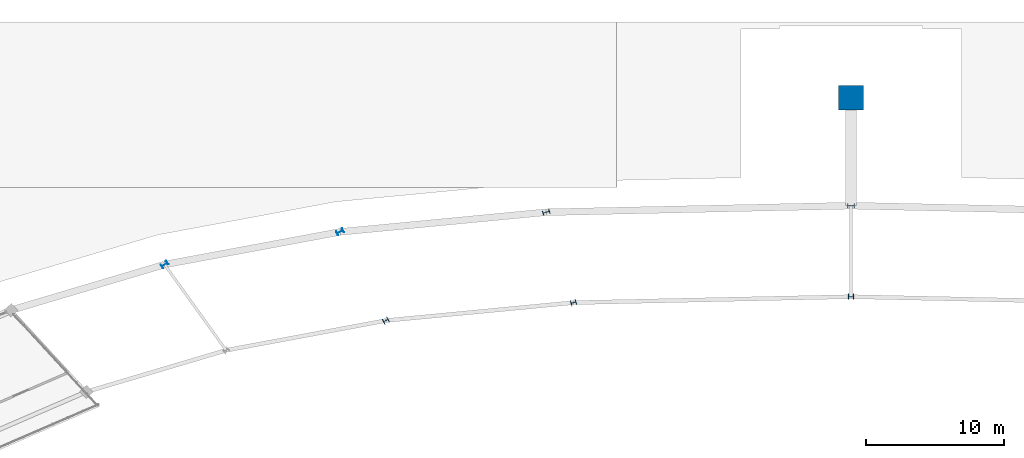
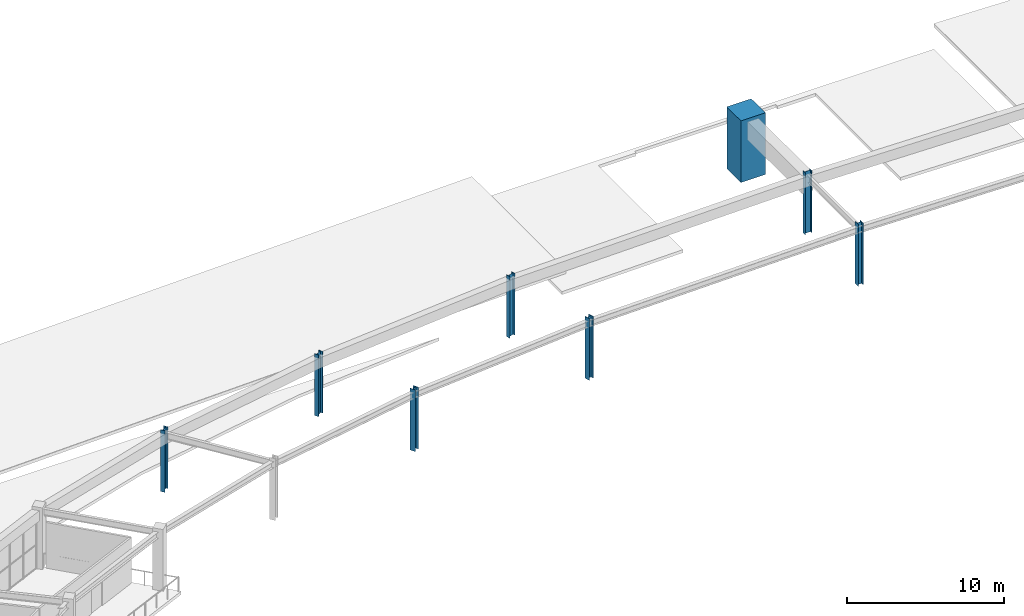
# One storey, part 9 of 45: 8 columns.
"""IFC4 building model written with IfcOpenShell, lengths in metres."""

from ifc_helpers import new_model, si_unit, direction, frame, origin, origin_2d, place, context, subcontext, project, spatial, rectangle, i_section, extrude, material, material_profile, profile_set, type_object, element, save


model = new_model("IFC4")

# Units and contexts
model_context = context("Model", 3, precision=1e-05, world=origin(), true_north=direction((0.0, 1.0)))
body_context = subcontext(model_context, "Body", "Model", "MODEL_VIEW")
ifc_project = project(units=[si_unit("LENGTHUNIT", "METRE"), si_unit("AREAUNIT", "SQUARE_METRE"), si_unit("VOLUMEUNIT", "CUBIC_METRE"), si_unit("PLANEANGLEUNIT", "RADIAN"), si_unit("MASSUNIT", "GRAM", prefix="KILO")], contexts=[model_context])

# Site, building, storey
site_placement = place(None, origin())
site = spatial("IfcSite", under=ifc_project, at=site_placement, CompositionType="ELEMENT")
building_placement = place(site_placement, origin())
building = spatial("IfcBuilding", under=site, at=building_placement, Name="Mphavela Belvedere Stadium", CompositionType="ELEMENT")
storey_placement = place(building_placement, frame((0.0, 0.0, 24.0)))
storey = spatial("IfcBuildingStorey", under=building, at=storey_placement, Name="L05", CompositionType="ELEMENT", Elevation=24.0)

# Columns
ifc_material_1 = material(Name="Concrete C50/60", Category="concrete")
ifc_material_profile_1 = material_profile(ifc_material_1, rectangle(XDim=1.800048828125, YDim=1.800048828125, at=origin_2d()), Name="RC 1800x1800")
ifc_profile_set_1 = profile_set([ifc_material_profile_1], Name="Concrete C50/60")
column_type_1 = type_object("IfcColumnType", Name="COL-MAST-PIER", PredefinedType="COLUMN", material=ifc_profile_set_1)
column_placement = place(storey_placement, frame((115.0, 168.5, 0.0), z_axis=(0.0, 0.0, 1.0), x_axis=(1.0, 0.0, 0.0)))
element("IfcColumn", 1, at=column_placement, inside=storey, type_object=column_type_1, Name="North mast buttress pier L05 MP-1", PredefinedType="COLUMN", context=body_context, shape_type="SweptSolid", body=[
    extrude(rectangle(XDim=1.800048828125, YDim=1.800048828125, at=origin_2d()), origin(), (0.0, 0.0, 1.0), 4.800048828125),
])
ifc_material_2 = material(Name="Steel S355", Category="steel")
ifc_material_profile_2 = material_profile(ifc_material_2, i_section(OverallWidth=0.39501953125, OverallDepth=0.3798828125, WebThickness=0.0166015625, FlangeThickness=0.02587890625, at=origin_2d()), Name="HD 400x237")
ifc_profile_set_2 = profile_set([ifc_material_profile_2], Name="Steel S355")
column_type_2 = type_object("IfcColumnType", Name="COL-STEEL-HD400", PredefinedType="COLUMN", material=ifc_profile_set_2)
for number, where, z_axis, x_axis, name in (
    (2, (115.0, 154.0673828125, 0.0), (0.0, 0.0, 1.0), (0.0, 1.0, 0.0), "Main bowl column L05 R3-13"),
    (3, (94.8671875, 153.634033203125, 0.0), (0.0, 0.0, 1.0), (-0.289198876314, 0.957269037387, 0.0), "Main bowl column L05 R3-14"),
    (4, (81.249755859375, 152.33544921875, 0.0), (0.0, 0.0, 1.0), (-0.458959712465, 0.888457079624, 0.0), "Main bowl column L05 R3-15"),
):
    element("IfcColumn", number, at=place(storey_placement, frame(where, z_axis=z_axis, x_axis=x_axis)), inside=storey, type_object=column_type_2, Name=name, PredefinedType="COLUMN", context=body_context, shape_type="SweptSolid", body=[
        extrude(i_section(OverallWidth=0.39501953125, OverallDepth=0.3798828125, WebThickness=0.0166015625, FlangeThickness=0.02587890625, at=origin_2d()), origin(), (0.0, 0.0, 1.0), 4.800048828125),
    ])
ifc_material_3 = material(Name="Steel S355", Category="steel")
ifc_material_profile_3 = material_profile(ifc_material_3, i_section(OverallWidth=0.300048828125, OverallDepth=0.5, WebThickness=0.014404296875, FlangeThickness=0.028076171875, at=origin_2d()), Name="HEB 500")
ifc_profile_set_3 = profile_set([ifc_material_profile_3], Name="Steel S355")
column_type_3 = type_object("IfcColumnType", Name="COL-STEEL-HEB500", PredefinedType="COLUMN", material=ifc_profile_set_3)
for number, where, z_axis, x_axis, name in (
    (5, (115.0, 160.669921875, 0.0), (0.0, 0.0, 1.0), (0.0, 1.0, 0.0), "Outer colonnade column L05 R4-13"),
    (6, (92.885498046875, 160.19384765625, 0.0), (0.0, 0.0, 1.0), (-0.289198876314, 0.957269037387, 0.0), "Outer colonnade column L05 R4-14"),
    (7, (77.92724609375, 158.767333984375, 0.0), (0.0, 0.0, 1.0), (-0.458959712465, 0.888457079624, 0.0), "Outer colonnade column L05 R4-15"),
    (8, (65.19873046875, 156.39697265625, 0.0), (0.0, 0.0, 1.0), (-0.582974127943, 0.812490717577, 0.0), "Outer colonnade column L05 R4-16"),
):
    element("IfcColumn", number, at=place(storey_placement, frame(where, z_axis=z_axis, x_axis=x_axis)), inside=storey, type_object=column_type_3, Name=name, PredefinedType="COLUMN", context=body_context, shape_type="SweptSolid", body=[
        extrude(i_section(OverallWidth=0.300048828125, OverallDepth=0.5, WebThickness=0.014404296875, FlangeThickness=0.028076171875, at=origin_2d()), origin(), (0.0, 0.0, 1.0), 4.800048828125),
    ])

save(model, "model.ifc")
